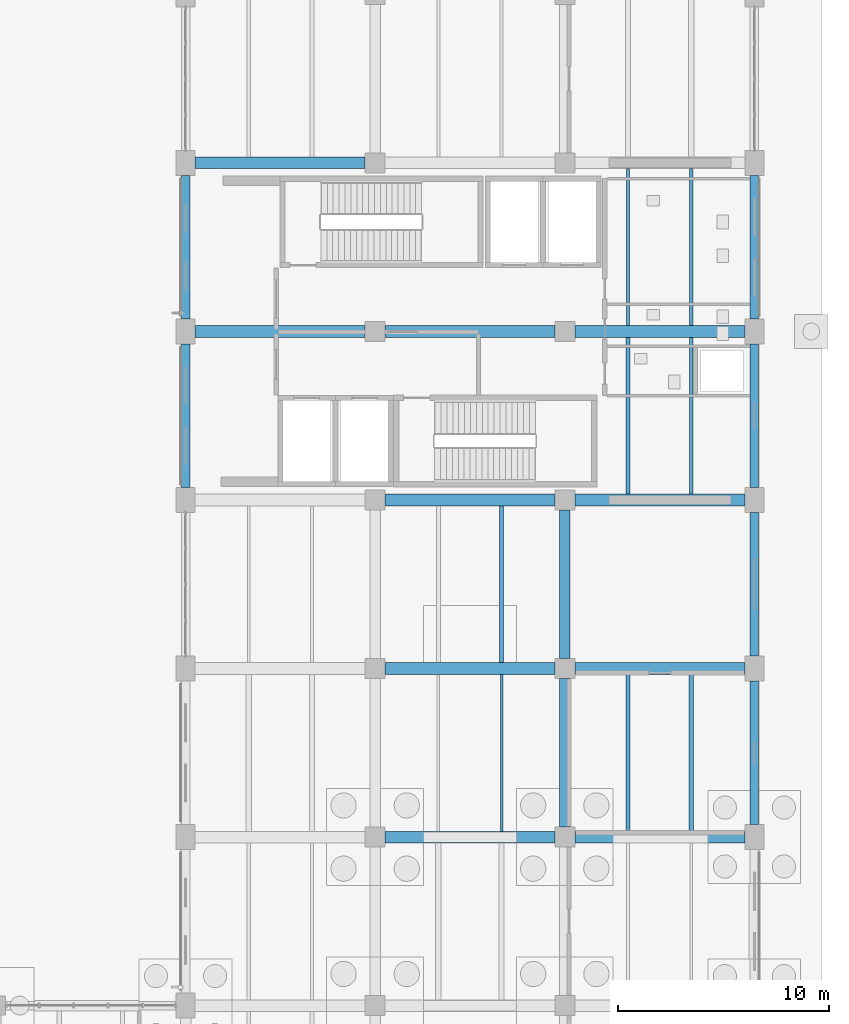
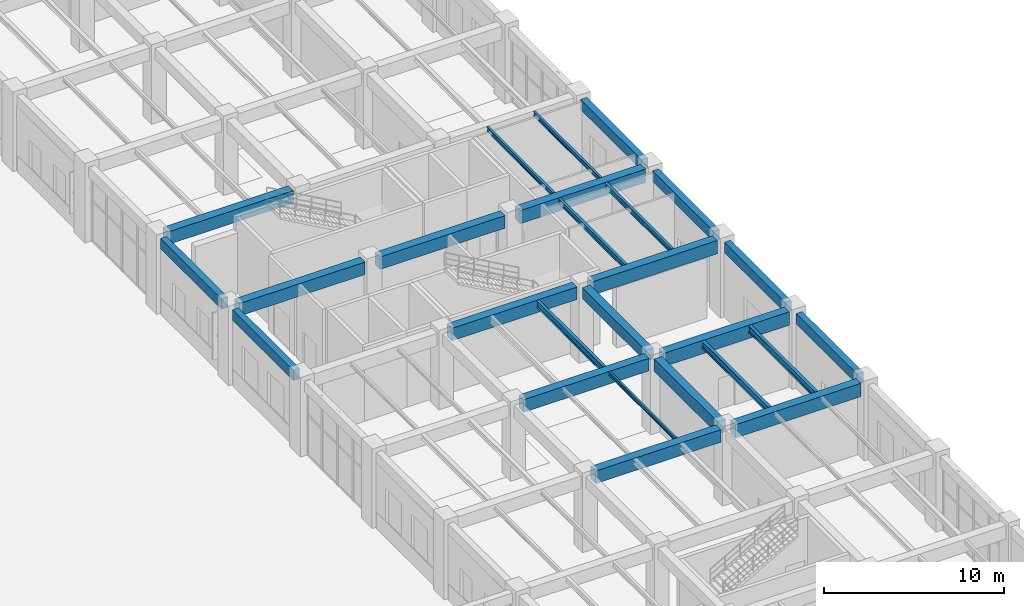
# One storey, part 68 of 121: 26 beams.
"""IFC4 building model written with IfcOpenShell, lengths in metres."""

from ifc_helpers import new_model, si_unit, derived_unit, direction, frame, origin, origin_2d, place, context, subcontext, project, spatial, rectangle, i_section, extrude, material, material_profile, profile_set, type_object, element, save


model = new_model("IFC4")

# Units and contexts
model_context = context("Model", 3, precision=1e-05, world=origin(), true_north=direction((0.0, 1.0)))
body_context = subcontext(model_context, "Body", "Model", "MODEL_VIEW")
ifc_project = project(units=[si_unit("LENGTHUNIT", "METRE"), si_unit("AREAUNIT", "SQUARE_METRE"), si_unit("VOLUMEUNIT", "CUBIC_METRE"), si_unit("PLANEANGLEUNIT", "RADIAN"), si_unit("MASSUNIT", "GRAM", prefix="KILO"), derived_unit("THERMALTRANSMITTANCEUNIT", [(si_unit("MASSUNIT", "GRAM", prefix="KILO"), 1), (si_unit("TIMEUNIT", "SECOND"), -3), (si_unit("THERMODYNAMICTEMPERATUREUNIT", "KELVIN"), -1)])], contexts=[model_context])

# Site, building, storey
site_placement = place(None, origin())
site = spatial("IfcSite", under=ifc_project, at=site_placement, CompositionType="ELEMENT")
building_placement = place(site_placement, origin())
building = spatial("IfcBuilding", under=site, at=building_placement, Name="Zhenchuan Archway Interchange", CompositionType="ELEMENT")
storey_placement = place(building_placement, origin())
storey = spatial("IfcBuildingStorey", under=building, at=storey_placement, Name="L00", CompositionType="ELEMENT", Elevation=0.0)

# Beams
ifc_material_1 = material(Name="Concrete C40", Category="concrete")
ifc_material_profile_1 = material_profile(ifc_material_1, rectangle(XDim=0.5, YDim=0.75, at=origin_2d()), Name="RC 500x750")
ifc_profile_set_1 = profile_set([ifc_material_profile_1], Name="Concrete C40")
beam_type_1 = type_object("IfcBeamType", Name="BM_RC_500x750", PredefinedType="BEAM", material=ifc_profile_set_1)
beam_1_placement = place(storey_placement, frame((162.0, 40.47509765625, 4.705078125), z_axis=(0.0, 1.0, 0.0), x_axis=(-1.0, 0.0, 0.0)))
element("IfcBeam", 1, at=beam_1_placement, inside=storey, type_object=beam_type_1, Name="Beam 19:F-G (L00)", PredefinedType="BEAM", context=body_context, shape_type="SweptSolid", body=[
    extrude(rectangle(XDim=0.5, YDim=0.75, at=origin_2d()), origin(), (0.0, 0.0, 1.0), 7.0498046875),
])
ifc_material_profile_2 = material_profile(ifc_material_1, rectangle(XDim=0.5, YDim=0.85009765625, at=origin_2d()), Name="RC 500x850")
ifc_profile_set_2 = profile_set([ifc_material_profile_2], Name="Concrete C40")
beam_type_2 = type_object("IfcBeamType", Name="BM_RC_500x850", PredefinedType="BEAM", material=ifc_profile_set_2)
beam_2_placement = place(storey_placement, frame((162.0, 32.47509765625, 4.655029296875), z_axis=(0.0, 1.0, 0.0), x_axis=(-1.0, 0.0, 0.0)))
element("IfcBeam", 2, at=beam_2_placement, inside=storey, type_object=beam_type_2, Name="Beam 19:E-F (L00)", PredefinedType="BEAM", context=body_context, shape_type="SweptSolid", body=[
    extrude(rectangle(XDim=0.5, YDim=0.85009765625, at=origin_2d()), origin(), (0.0, 0.0, 1.0), 7.0498046875),
])
ifc_material_profile_3 = material_profile(ifc_material_1, rectangle(XDim=0.550048828125, YDim=0.85009765625, at=origin_2d()), Name="RC 550x850")
ifc_profile_set_3 = profile_set([ifc_material_profile_3], Name="Concrete C40")
beam_type_3 = type_object("IfcBeamType", Name="BM_RC_550x850", PredefinedType="BEAM", material=ifc_profile_set_3)
for number, where, z_axis, x_axis, name in (
    (3, (153.47509765625, 32.0, 4.655029296875), (1.0, 0.0, 0.0), (0.0, 1.0, 0.0), "Beam E:18-19 (L00)"),
    (4, (153.47509765625, 40.0, 4.655029296875), (1.0, 0.0, 0.0), (0.0, 1.0, 0.0), "Beam F:18-19 (L00)"),
    (5, (153.47509765625, 48.0, 4.655029296875), (1.0, 0.0, 0.0), (0.0, 1.0, 0.0), "Beam G:18-19 (L00)"),
):
    element("IfcBeam", number, at=place(storey_placement, frame(where, z_axis=z_axis, x_axis=x_axis)), inside=storey, type_object=beam_type_3, Name=name, PredefinedType="BEAM", context=body_context, shape_type="SweptSolid", body=[
        extrude(rectangle(XDim=0.550048828125, YDim=0.85009765625, at=origin_2d()), origin(), (0.0, 0.0, 1.0), 8.0498046875),
    ])
beam_3_placement = place(storey_placement, frame((144.449951171875, 56.0, 4.655029296875), z_axis=(1.0, 0.0, 0.0), x_axis=(0.0, 1.0, 0.0)))
element("IfcBeam", 6, at=beam_3_placement, inside=storey, type_object=beam_type_3, Name="Beam H:17-18 (L00)", PredefinedType="BEAM", context=body_context, shape_type="SweptSolid", body=[
    extrude(rectangle(XDim=0.550048828125, YDim=0.85009765625, at=origin_2d()), origin(), (0.0, 0.0, 1.0), 8.074951171875),
])
beam_4_placement = place(storey_placement, frame((153.47509765625, 56.0, 4.655029296875), z_axis=(1.0, 0.0, 0.0), x_axis=(0.0, 1.0, 0.0)))
element("IfcBeam", 7, at=beam_4_placement, inside=storey, type_object=beam_type_3, Name="Beam H:18-19 (L00)", PredefinedType="BEAM", context=body_context, shape_type="SweptSolid", body=[
    extrude(rectangle(XDim=0.550048828125, YDim=0.85009765625, at=origin_2d()), origin(), (0.0, 0.0, 1.0), 8.0498046875),
])
beam_5_placement = place(storey_placement, frame((144.449951171875, 64.0, 4.655029296875), z_axis=(1.0, 0.0, 0.0), x_axis=(0.0, 1.0, 0.0)))
element("IfcBeam", 8, at=beam_5_placement, inside=storey, type_object=beam_type_3, Name="Beam J:17-18 (L00)", PredefinedType="BEAM", context=body_context, shape_type="SweptSolid", body=[
    extrude(rectangle(XDim=0.550048828125, YDim=0.85009765625, at=origin_2d()), origin(), (0.0, 0.0, 1.0), 8.074951171875),
])
ifc_material_profile_4 = material_profile(ifc_material_1, rectangle(XDim=0.550048828125, YDim=0.89990234375, at=origin_2d()), Name="RC 550x900")
ifc_profile_set_4 = profile_set([ifc_material_profile_4], Name="Concrete C40")
beam_type_4 = type_object("IfcBeamType", Name="BM_RC_550x900", PredefinedType="BEAM", material=ifc_profile_set_4)
for number, where, z_axis, x_axis, name in (
    (9, (162.47509765625, 32.0, 4.6298828125), (1.0, 0.0, 0.0), (0.0, 1.0, 0.0), "Beam E:19-20 (L00)"),
    (10, (162.47509765625, 40.0, 4.6298828125), (1.0, 0.0, 0.0), (0.0, 1.0, 0.0), "Beam F:19-20 (L00)"),
    (11, (162.47509765625, 48.0, 4.6298828125), (1.0, 0.0, 0.0), (0.0, 1.0, 0.0), "Beam G:19-20 (L00)"),
    (12, (162.47509765625, 56.0, 4.6298828125), (1.0, 0.0, 0.0), (0.0, 1.0, 0.0), "Beam H:19-20 (L00)"),
):
    element("IfcBeam", number, at=place(storey_placement, frame(where, z_axis=z_axis, x_axis=x_axis)), inside=storey, type_object=beam_type_4, Name=name, PredefinedType="BEAM", context=body_context, shape_type="SweptSolid", body=[
        extrude(rectangle(XDim=0.550048828125, YDim=0.89990234375, at=origin_2d()), origin(), (0.0, 0.0, 1.0), 8.074951171875),
    ])
ifc_material_2 = material(Name="Steel Q355", Category="steel")
ifc_material_profile_5 = material_profile(ifc_material_2, i_section(OverallWidth=0.125, OverallDepth=0.25, WebThickness=0.006103515625, FlangeThickness=0.009033203125, FilletRadius=0.011962890625, at=origin_2d()), Name="HN 250x125")
ifc_profile_set_5 = profile_set([ifc_material_profile_5], Name="Steel Q355")
beam_type_5 = type_object("IfcBeamType", Name="JST_STL_HN250", PredefinedType="JOIST", material=ifc_profile_set_5)
beam_6_placement = place(storey_placement, frame((159.0, 32.27490234375, 4.955078125), z_axis=(0.0, 1.0, 0.0), x_axis=(-1.0, 0.0, 0.0)))
element("IfcBeam", 13, at=beam_6_placement, inside=storey, type_object=beam_type_5, Name="Secondary joist 18-19/E-F #2 (L00)", PredefinedType="JOIST", context=body_context, shape_type="SweptSolid", body=[
    extrude(i_section(OverallWidth=0.125, OverallDepth=0.25, WebThickness=0.006103515625, FlangeThickness=0.009033203125, FilletRadius=0.011962890625, at=origin_2d()), origin(), (0.0, 0.0, 1.0), 7.4501953125),
])
ifc_material_profile_6 = material_profile(ifc_material_2, i_section(OverallWidth=0.14990234375, OverallDepth=0.300048828125, WebThickness=0.006591796875, FlangeThickness=0.009033203125, FilletRadius=0.012939453125, at=origin_2d()), Name="HN 300x150")
ifc_profile_set_6 = profile_set([ifc_material_profile_6], Name="Steel Q355")
beam_type_6 = type_object("IfcBeamType", Name="JST_STL_HN300", PredefinedType="JOIST", material=ifc_profile_set_6)
for number, where, z_axis, x_axis, name in (
    (14, (165.0, 56.27490234375, 4.929931640625), (0.0, 1.0, 0.0), (-1.0, 0.0, 0.0), "Secondary joist 19-20/H-J #1 (L00)"),
    (15, (168.0, 56.27490234375, 4.929931640625), (0.0, 1.0, 0.0), (-1.0, 0.0, 0.0), "Secondary joist 19-20/H-J #2 (L00)"),
):
    element("IfcBeam", number, at=place(storey_placement, frame(where, z_axis=z_axis, x_axis=x_axis)), inside=storey, type_object=beam_type_6, Name=name, PredefinedType="JOIST", context=body_context, shape_type="SweptSolid", body=[
        extrude(i_section(OverallWidth=0.14990234375, OverallDepth=0.300048828125, WebThickness=0.006591796875, FlangeThickness=0.009033203125, FilletRadius=0.012939453125, at=origin_2d()), origin(), (0.0, 0.0, 1.0), 7.4501953125),
    ])
ifc_material_profile_7 = material_profile(ifc_material_2, i_section(OverallWidth=0.175048828125, OverallDepth=0.35009765625, WebThickness=0.007080078125, FlangeThickness=0.010986328125, FilletRadius=0.013916015625, at=origin_2d()), Name="HN 350x175")
ifc_profile_set_7 = profile_set([ifc_material_profile_7], Name="Steel Q355")
beam_type_7 = type_object("IfcBeamType", Name="JST_STL_HN350", PredefinedType="JOIST", material=ifc_profile_set_7)
for number, where, z_axis, x_axis, name in (
    (16, (165.0, 48.27490234375, 4.905029296875), (0.0, 1.0, 0.0), (-1.0, 0.0, 0.0), "Secondary joist 19-20/G-H #1 (L00)"),
    (17, (168.0, 48.27490234375, 4.905029296875), (0.0, 1.0, 0.0), (-1.0, 0.0, 0.0), "Secondary joist 19-20/G-H #2 (L00)"),
):
    element("IfcBeam", number, at=place(storey_placement, frame(where, z_axis=z_axis, x_axis=x_axis)), inside=storey, type_object=beam_type_7, Name=name, PredefinedType="JOIST", context=body_context, shape_type="SweptSolid", body=[
        extrude(i_section(OverallWidth=0.175048828125, OverallDepth=0.35009765625, WebThickness=0.007080078125, FlangeThickness=0.010986328125, FilletRadius=0.013916015625, at=origin_2d()), origin(), (0.0, 0.0, 1.0), 7.4501953125),
    ])
ifc_material_profile_8 = material_profile(ifc_material_2, i_section(OverallWidth=0.199951171875, OverallDepth=0.449951171875, WebThickness=0.009033203125, FlangeThickness=0.013916015625, FilletRadius=0.01806640625, at=origin_2d()), Name="HN 450x200")
ifc_profile_set_8 = profile_set([ifc_material_profile_8], Name="Steel Q355")
beam_type_8 = type_object("IfcBeamType", Name="JST_STL_HN450", PredefinedType="JOIST", material=ifc_profile_set_8)
for number, where, z_axis, x_axis, name in (
    (18, (159.0, 40.27490234375, 4.85498046875), (0.0, 1.0, 0.0), (-1.0, 0.0, 0.0), "Secondary joist 18-19/F-G #2 (L00)"),
    (19, (165.0, 32.27490234375, 4.85498046875), (0.0, 1.0, 0.0), (-1.0, 0.0, 0.0), "Secondary joist 19-20/E-F #1 (L00)"),
    (20, (168.0, 32.27490234375, 4.85498046875), (0.0, 1.0, 0.0), (-1.0, 0.0, 0.0), "Secondary joist 19-20/E-F #2 (L00)"),
):
    element("IfcBeam", number, at=place(storey_placement, frame(where, z_axis=z_axis, x_axis=x_axis)), inside=storey, type_object=beam_type_8, Name=name, PredefinedType="JOIST", context=body_context, shape_type="SweptSolid", body=[
        extrude(i_section(OverallWidth=0.199951171875, OverallDepth=0.449951171875, WebThickness=0.009033203125, FlangeThickness=0.013916015625, FilletRadius=0.01806640625, at=origin_2d()), origin(), (0.0, 0.0, 1.0), 7.4501953125),
    ])
ifc_material_profile_9 = material_profile(ifc_material_1, rectangle(XDim=0.39990234375, YDim=0.699951171875, at=origin_2d()), Name="RC 400x700")
ifc_profile_set_9 = profile_set([ifc_material_profile_9], Name="Concrete C40")
beam_type_9 = type_object("IfcBeamType", Name="SP_RC_400x700", PredefinedType="SPANDREL", material=ifc_profile_set_9)
for number, where, z_axis, x_axis, name in (
    (21, (144.0, 48.60009765625, 4.72998046875), (0.0, 1.0, 0.0), (-1.0, 0.0, 0.0), "Beam 17:G-H (L00)"),
    (22, (144.0, 56.60009765625, 4.72998046875), (0.0, 1.0, 0.0), (-1.0, 0.0, 0.0), "Beam 17:H-J (L00)"),
    (23, (171.0, 32.60009765625, 4.72998046875), (0.0, 1.0, 0.0), (-1.0, 0.0, 0.0), "Beam 20:E-F (L00)"),
    (24, (171.0, 40.60009765625, 4.72998046875), (0.0, 1.0, 0.0), (-1.0, 0.0, 0.0), "Beam 20:F-G (L00)"),
    (25, (171.0, 48.60009765625, 4.72998046875), (0.0, 1.0, 0.0), (-1.0, 0.0, 0.0), "Beam 20:G-H (L00)"),
    (26, (171.0, 56.60009765625, 4.72998046875), (0.0, 1.0, 0.0), (-1.0, 0.0, 0.0), "Beam 20:H-J (L00)"),
):
    element("IfcBeam", number, at=place(storey_placement, frame(where, z_axis=z_axis, x_axis=x_axis)), inside=storey, type_object=beam_type_9, Name=name, PredefinedType="SPANDREL", context=body_context, shape_type="SweptSolid", body=[
        extrude(rectangle(XDim=0.39990234375, YDim=0.699951171875, at=origin_2d()), origin(), (0.0, 0.0, 1.0), 6.7998046875),
    ])

save(model, "model.ifc")
